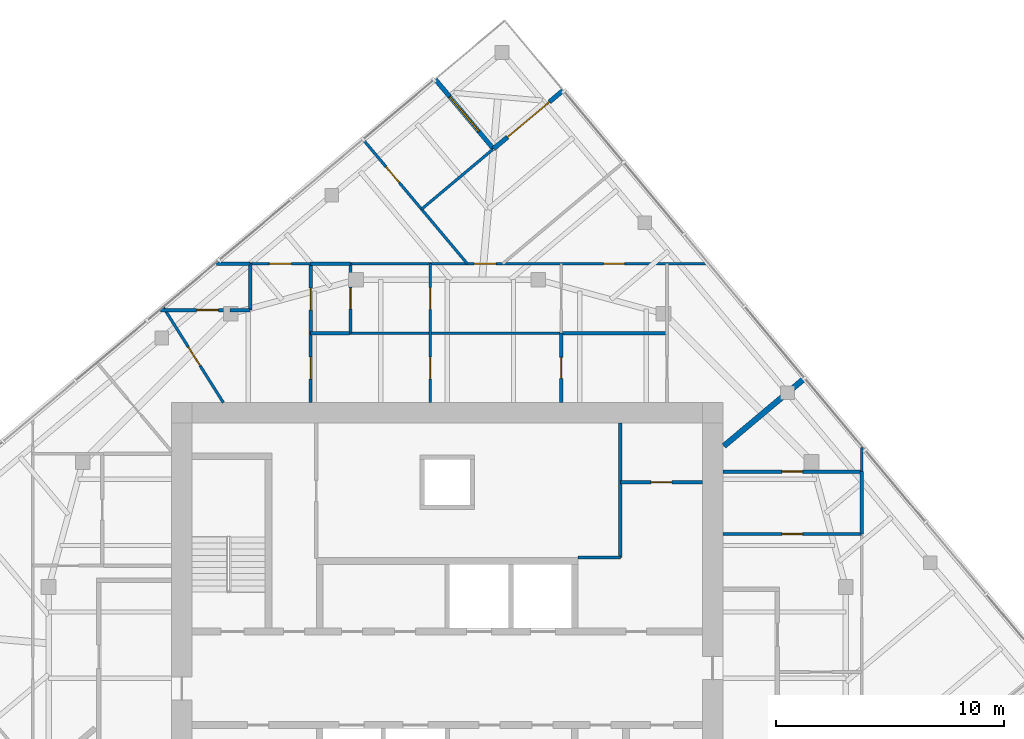
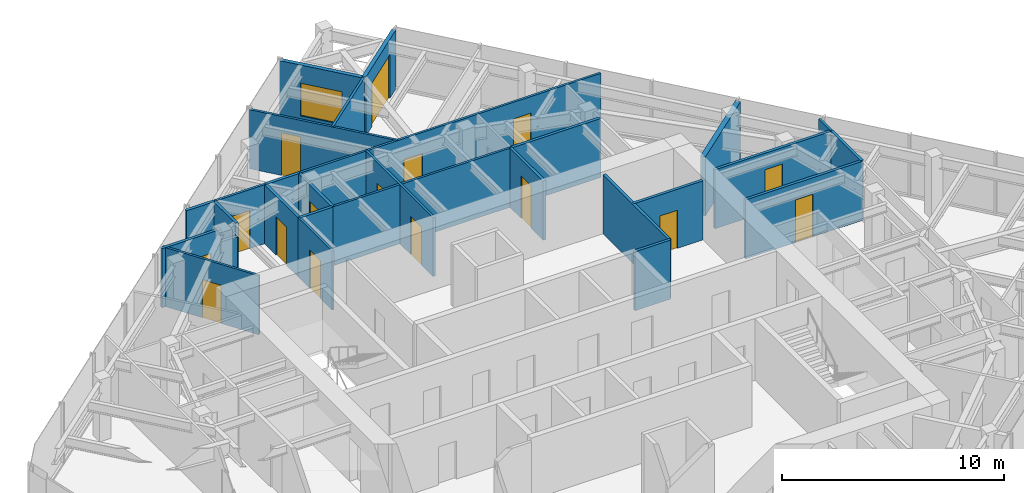
# One storey, part 10 of 12: 28 walls, 16 doors, 1 window, 17 openings.
"""IFC4 building model written with IfcOpenShell, lengths in metres."""

from ifc_helpers import new_model, si_unit, direction, frame, frame_2d, origin, place, context, subcontext, project, spatial, rectangle, extrude, material, layer, layer_set, type_object, element, fill, save


model = new_model("IFC4")

# Units and contexts
model_context = context("Model", 3, precision=1e-05, world=origin(), true_north=direction((0.0, 1.0)))
body_context = subcontext(model_context, "Body", "Model", "MODEL_VIEW")
ifc_project = project(units=[si_unit("LENGTHUNIT", "METRE"), si_unit("AREAUNIT", "SQUARE_METRE"), si_unit("VOLUMEUNIT", "CUBIC_METRE"), si_unit("PLANEANGLEUNIT", "RADIAN"), si_unit("MASSUNIT", "GRAM", prefix="KILO")], contexts=[model_context])

# Site, building, storey
site_placement = place(None, origin())
site = spatial("IfcSite", under=ifc_project, at=site_placement, CompositionType="ELEMENT")
building_placement = place(site_placement, origin())
building = spatial("IfcBuilding", under=site, at=building_placement, Name="Torsade Residences", CompositionType="ELEMENT")
storey_placement = place(building_placement, frame((0.0, 0.0, 293.0)))
storey = spatial("IfcBuildingStorey", under=building, at=storey_placement, Name="L81", CompositionType="ELEMENT", Elevation=293.0)

# Walls
ifc_material_1 = material(Name="Plasterboard on steel stud", Category="steel")
ifc_layer_1 = layer(ifc_material_1, 0.1201171875)
ifc_layer_set_1 = layer_set([ifc_layer_1], Name="Plasterboard on steel stud")
wall_type_1 = type_object("IfcWallType", Name="PARTITION 120", PredefinedType="PARTITIONING", material=ifc_layer_set_1)
wall_1_placement = place(storey_placement, frame((58.199951171875, 40.14013671875, 0.0), z_axis=(0.0, 0.0, 1.0), x_axis=(0.0, -1.0, 0.0)))
element("IfcWall", 1, at=wall_1_placement, inside=storey, type_object=wall_type_1, Name="Partition L81", PredefinedType="PARTITIONING", context=body_context, shape_type="SweptSolid", body=[
    extrude(rectangle(XDim=1.064453125, YDim=0.1201171875, at=frame_2d((0.5322265625, 0.0))), origin(), (0.0, 0.0, 1.0), 3.25),
])
wall_2_placement = place(storey_placement, frame((35.703857421875, 45.14990234375, 0.0), z_axis=(0.0, 0.0, 1.0), x_axis=(1.0, 0.0, 0.0)))
element("IfcWall", 2, at=wall_2_placement, inside=storey, type_object=wall_type_1, Name="Partition L81", PredefinedType="PARTITIONING", context=body_context, shape_type="SweptSolid", body=[
    extrude(rectangle(XDim=9.299560546875, YDim=0.1201171875, at=frame_2d((4.64990234375, 0.0))), origin(), (0.0, 0.0, 1.0), 3.25),
])

# Wall, opening, door
wall_3_placement = place(storey_placement, frame((34.00048828125, 42.10009765625, 0.0), z_axis=(0.0, 0.0, 1.0), x_axis=(0.0, 1.0, 0.0)))
wall_3 = element("IfcWall", 3, at=wall_3_placement, inside=storey, type_object=wall_type_1, Name="Partition L81", PredefinedType="PARTITIONING", context=body_context, shape_type="SweptSolid", body=[
    extrude(rectangle(XDim=3.0498046875, YDim=0.1201171875, at=frame_2d((1.52490234375, 0.0))), origin(), (0.0, 0.0, 1.0), 3.25),
])
opening_1_placement = place(wall_3_placement, frame((1.044921875, 0.0, 0.0)))
opening_1 = element("IfcOpeningElement", 4, at=opening_1_placement, cuts=wall_3, Name="Opening D05", PredefinedType="OPENING", context=body_context, shape_type="SweptSolid", body=[
    extrude(rectangle(XDim=0.9599609375, YDim=2.10009765625, at=frame_2d((0.47998046875, 1.050048828125))), frame((0.0, 0.070068359375, 0.0), z_axis=(0.0, -1.0, 0.0), x_axis=(1.0, 0.0, 0.0)), (0.0, 0.0, 1.0), 0.14013671875),
])
ifc_material_2 = material(Name="Hollow-core timber door in a steel cavity frame", Category="steel")
door_type_1 = type_object("IfcDoorType", Name="BATHROOM CAVITY SLIDING DOOR 960", OperationType="SLIDING_TO_LEFT", PredefinedType="DOOR", material=ifc_material_2)
door_1_placement = place(opening_1_placement, origin())
door_1 = element("IfcDoor", 5, at=door_1_placement, inside=storey, type_object=door_type_1, Name="Door WC to Bathroom", OperationType="SLIDING_TO_LEFT", OverallHeight=2.10009765625, OverallWidth=0.9599609375, PredefinedType="DOOR", context=body_context, shape_type="SweptSolid", body=[
    extrude(rectangle(XDim=0.9599609375, YDim=2.10009765625, at=frame_2d((0.47998046875, 1.050048828125))), frame((0.0, 0.02490234375, 0.0), z_axis=(0.0, -1.0, 0.0), x_axis=(1.0, 0.0, 0.0)), (0.0, 0.0, 1.0), 0.050048828125),
])
fill(opening_1, door_1)

# Wall, openings, doors
wall_4_placement = place(storey_placement, frame((39.260498046875, 48.199951171875, 0.0), z_axis=(0.0, 0.0, 1.0), x_axis=(0.0, -1.0, 0.0)))
wall_4 = element("IfcWall", 6, at=wall_4_placement, inside=storey, type_object=wall_type_1, Name="Partition L81", PredefinedType="PARTITIONING", context=body_context, shape_type="SweptSolid", body=[
    extrude(rectangle(XDim=6.099853515625, YDim=0.1201171875, at=frame_2d((3.0498046875, 0.0))), origin(), (0.0, 0.0, 1.0), 3.25),
])
opening_2_placement = place(wall_4_placement, frame((4.094970703125, 0.0, 0.0)))
opening_2 = element("IfcOpeningElement", 7, at=opening_2_placement, cuts=wall_4, Name="Opening D05", PredefinedType="OPENING", context=body_context, shape_type="SweptSolid", body=[
    extrude(rectangle(XDim=0.9599609375, YDim=2.10009765625, at=frame_2d((0.47998046875, 1.050048828125))), frame((0.0, 0.070068359375, 0.0), z_axis=(0.0, -1.0, 0.0), x_axis=(1.0, 0.0, 0.0)), (0.0, 0.0, 1.0), 0.14013671875),
])
opening_3_placement = place(wall_4_placement, frame((1.044921875, 0.0, 0.0)))
opening_3 = element("IfcOpeningElement", 8, at=opening_3_placement, cuts=wall_4, Name="Opening D05", PredefinedType="OPENING", context=body_context, shape_type="SweptSolid", body=[
    extrude(rectangle(XDim=0.9599609375, YDim=2.10009765625, at=frame_2d((0.47998046875, 1.050048828125))), frame((0.0, 0.070068359375, 0.0), z_axis=(0.0, -1.0, 0.0), x_axis=(1.0, 0.0, 0.0)), (0.0, 0.0, 1.0), 0.14013671875),
])
door_2_placement = place(opening_2_placement, origin())
door_2 = element("IfcDoor", 9, at=door_2_placement, inside=storey, type_object=door_type_1, Name="Door Bathroom to Dressing room 4", OperationType="SLIDING_TO_LEFT", OverallHeight=2.10009765625, OverallWidth=0.9599609375, PredefinedType="DOOR", context=body_context, shape_type="SweptSolid", body=[
    extrude(rectangle(XDim=0.9599609375, YDim=2.10009765625, at=frame_2d((0.47998046875, 1.050048828125))), frame((0.0, 0.02490234375, 0.0), z_axis=(0.0, -1.0, 0.0), x_axis=(1.0, 0.0, 0.0)), (0.0, 0.0, 1.0), 0.050048828125),
])
fill(opening_2, door_2)
door_3_placement = place(opening_3_placement, origin())
door_3 = element("IfcDoor", 10, at=door_3_placement, inside=storey, type_object=door_type_1, Name="Door Dressing room to Ensuite", OperationType="SLIDING_TO_LEFT", OverallHeight=2.10009765625, OverallWidth=0.9599609375, PredefinedType="DOOR", context=body_context, shape_type="SweptSolid", body=[
    extrude(rectangle(XDim=0.9599609375, YDim=2.10009765625, at=frame_2d((0.47998046875, 1.050048828125))), frame((0.0, 0.02490234375, 0.0), z_axis=(0.0, -1.0, 0.0), x_axis=(1.0, 0.0, 0.0)), (0.0, 0.0, 1.0), 0.050048828125),
])
fill(opening_3, door_3)

wall_5_placement = place(storey_placement, frame((35.75390625, 48.199951171875, 0.0), z_axis=(0.0, 0.0, 1.0), x_axis=(1.0, 0.0, 0.0)))
wall_5 = element("IfcWall", 11, at=wall_5_placement, inside=storey, type_object=wall_type_1, Name="Partition L81", PredefinedType="PARTITIONING", context=body_context, shape_type="SweptSolid", body=[
    extrude(rectangle(XDim=15.68310546875, YDim=0.1201171875, at=frame_2d((7.841552734375, 0.0))), origin(), (0.0, 0.0, 1.0), 3.25),
])
opening_4_placement = place(wall_5_placement, frame((5.4326171875, 0.0, 0.0)))
opening_4 = element("IfcOpeningElement", 12, at=opening_4_placement, cuts=wall_5, Name="Opening D05", PredefinedType="OPENING", context=body_context, shape_type="SweptSolid", body=[
    extrude(rectangle(XDim=0.9599609375, YDim=2.10009765625, at=frame_2d((0.47998046875, 1.050048828125))), frame((0.0, 0.070068359375, 0.0), z_axis=(0.0, -1.0, 0.0), x_axis=(1.0, 0.0, 0.0)), (0.0, 0.0, 1.0), 0.14013671875),
])
opening_5_placement = place(wall_5_placement, frame((11.11376953125, 0.0, 0.0)))
opening_5 = element("IfcOpeningElement", 13, at=opening_5_placement, cuts=wall_5, Name="Opening D02", PredefinedType="OPENING", context=body_context, shape_type="SweptSolid", body=[
    extrude(rectangle(XDim=0.919921875, YDim=2.340087890625, at=frame_2d((0.4599609375, 1.169921875))), frame((0.0, 0.070068359375, 0.0), z_axis=(0.0, -1.0, 0.0), x_axis=(1.0, 0.0, 0.0)), (0.0, 0.0, 1.0), 0.14013671875),
])
door_4_placement = place(opening_4_placement, origin())
door_4 = element("IfcDoor", 14, at=door_4_placement, inside=storey, type_object=door_type_1, Name="Door Ensuite to Bedroom 2", OperationType="SLIDING_TO_LEFT", OverallHeight=2.10009765625, OverallWidth=0.9599609375, PredefinedType="DOOR", context=body_context, shape_type="SweptSolid", body=[
    extrude(rectangle(XDim=0.9599609375, YDim=2.10009765625, at=frame_2d((0.47998046875, 1.050048828125))), frame((0.0, 0.02490234375, 0.0), z_axis=(0.0, -1.0, 0.0), x_axis=(1.0, 0.0, 0.0)), (0.0, 0.0, 1.0), 0.050048828125),
])
fill(opening_4, door_4)
ifc_material_3 = material(Name="Hollow-core timber door", Category="wood")
door_type_2 = type_object("IfcDoorType", Name="INTERNAL DOOR 920x2340", OperationType="NOTDEFINED", PredefinedType="DOOR", material=ifc_material_3)
door_5_placement = place(opening_5_placement, origin())
door_5 = element("IfcDoor", 15, at=door_5_placement, inside=storey, type_object=door_type_2, Name="Door Walk-in robe to Bedroom 4", OperationType="SINGLE_SWING_RIGHT", OverallHeight=2.340087890625, OverallWidth=0.919921875, PredefinedType="DOOR", context=body_context, shape_type="SweptSolid", body=[
    extrude(rectangle(XDim=0.919921875, YDim=2.340087890625, at=frame_2d((0.4599609375, 1.169921875))), frame((0.0, 0.02490234375, 0.0), z_axis=(0.0, -1.0, 0.0), x_axis=(1.0, 0.0, 0.0)), (0.0, 0.0, 1.0), 0.050048828125),
])
fill(opening_5, door_5)

# Wall, opening, door
wall_6_placement = place(storey_placement, frame((30.171875, 42.10009765625, 0.0), z_axis=(0.0, 0.0, 1.0), x_axis=(-0.532913303443, 0.846169847616, 0.0)))
wall_6 = element("IfcWall", 16, at=wall_6_placement, inside=storey, type_object=wall_type_1, Name="Partition L81", PredefinedType="PARTITIONING", context=body_context, shape_type="SweptSolid", body=[
    extrude(rectangle(XDim=4.91943359375, YDim=0.1201171875, at=frame_2d((2.459716796875, 0.0))), origin(), (0.0, 0.0, 1.0), 3.25),
])
opening_6_placement = place(wall_6_placement, frame((1.923095703125, 0.0, 0.0)))
opening_6 = element("IfcOpeningElement", 17, at=opening_6_placement, cuts=wall_6, Name="Opening D05", PredefinedType="OPENING", context=body_context, shape_type="SweptSolid", body=[
    extrude(rectangle(XDim=0.9599609375, YDim=2.10009765625, at=frame_2d((0.47998046875, 1.050048828125))), frame((0.0, 0.070068359375, 0.0), z_axis=(0.0, -1.0, 0.0), x_axis=(1.0, 0.0, 0.0)), (0.0, 0.0, 1.0), 0.14013671875),
])
door_6_placement = place(opening_6_placement, origin())
door_6 = element("IfcDoor", 18, at=door_6_placement, inside=storey, type_object=door_type_1, Name="Door WC 2 to WC", OperationType="SLIDING_TO_LEFT", OverallHeight=2.10009765625, OverallWidth=0.9599609375, PredefinedType="DOOR", context=body_context, shape_type="SweptSolid", body=[
    extrude(rectangle(XDim=0.9599609375, YDim=2.10009765625, at=frame_2d((0.47998046875, 1.050048828125))), frame((0.0, 0.02490234375, 0.0), z_axis=(0.0, -1.0, 0.0), x_axis=(1.0, 0.0, 0.0)), (0.0, 0.0, 1.0), 0.050048828125),
])
fill(opening_6, door_6)

wall_7_placement = place(storey_placement, frame((31.34423828125, 48.199951171875, 0.0), z_axis=(0.0, 0.0, 1.0), x_axis=(1.0, 0.0, 0.0)))
wall_7 = element("IfcWall", 19, at=wall_7_placement, inside=storey, type_object=wall_type_1, Name="Partition L81", PredefinedType="PARTITIONING", context=body_context, shape_type="SweptSolid", body=[
    extrude(rectangle(XDim=2.65625, YDim=0.1201171875, at=frame_2d((1.328125, 0.0))), origin(), (0.0, 0.0, 1.0), 3.25),
])
opening_7_placement = place(wall_7_placement, frame((0.84814453125, 0.0, 0.0)))
opening_7 = element("IfcOpeningElement", 20, at=opening_7_placement, cuts=wall_7, Name="Opening D05", PredefinedType="OPENING", context=body_context, shape_type="SweptSolid", body=[
    extrude(rectangle(XDim=0.9599609375, YDim=2.10009765625, at=frame_2d((0.47998046875, 1.050048828125))), frame((0.0, 0.070068359375, 0.0), z_axis=(0.0, -1.0, 0.0), x_axis=(1.0, 0.0, 0.0)), (0.0, 0.0, 1.0), 0.14013671875),
])
door_7_placement = place(opening_7_placement, origin())
door_7 = element("IfcDoor", 21, at=door_7_placement, inside=storey, type_object=door_type_1, Name="Door WC to Bedroom 3", OperationType="SLIDING_TO_LEFT", OverallHeight=2.10009765625, OverallWidth=0.9599609375, PredefinedType="DOOR", context=body_context, shape_type="SweptSolid", body=[
    extrude(rectangle(XDim=0.9599609375, YDim=2.10009765625, at=frame_2d((0.47998046875, 1.050048828125))), frame((0.0, 0.02490234375, 0.0), z_axis=(0.0, -1.0, 0.0), x_axis=(1.0, 0.0, 0.0)), (0.0, 0.0, 1.0), 0.050048828125),
])
fill(opening_7, door_7)

wall_8_placement = place(storey_placement, frame((40.8828125, 48.199951171875, 0.0), z_axis=(0.0, 0.0, 1.0), x_axis=(-0.642790379821, 0.766042118691, 0.0)))
wall_8 = element("IfcWall", 22, at=wall_8_placement, inside=storey, type_object=wall_type_1, Name="Partition L81", PredefinedType="PARTITIONING", context=body_context, shape_type="SweptSolid", body=[
    extrude(rectangle(XDim=7.08544921875, YDim=0.1201171875, at=frame_2d((3.542724609375, 0.0))), origin(), (0.0, 0.0, 1.0), 3.25),
])
opening_8_placement = place(wall_8_placement, frame((4.640380859375, 0.0, 0.0)))
opening_8 = element("IfcOpeningElement", 23, at=opening_8_placement, cuts=wall_8, Name="Opening D02", PredefinedType="OPENING", context=body_context, shape_type="SweptSolid", body=[
    extrude(rectangle(XDim=0.919921875, YDim=2.340087890625, at=frame_2d((0.4599609375, 1.169921875))), frame((0.0, 0.070068359375, 0.0), z_axis=(0.0, -1.0, 0.0), x_axis=(1.0, 0.0, 0.0)), (0.0, 0.0, 1.0), 0.14013671875),
])
door_8_placement = place(opening_8_placement, origin())
door_8 = element("IfcDoor", 24, at=door_8_placement, inside=storey, type_object=door_type_2, Name="Door Bedroom 3 to Bedroom 5", OperationType="SINGLE_SWING_RIGHT", OverallHeight=2.340087890625, OverallWidth=0.919921875, PredefinedType="DOOR", context=body_context, shape_type="SweptSolid", body=[
    extrude(rectangle(XDim=0.919921875, YDim=2.340087890625, at=frame_2d((0.4599609375, 1.169921875))), frame((0.0, 0.02490234375, 0.0), z_axis=(0.0, -1.0, 0.0), x_axis=(1.0, 0.0, 0.0)), (0.0, 0.0, 1.0), 0.050048828125),
])
fill(opening_8, door_8)

# Walls
wall_9_placement = place(storey_placement, frame((38.873779296875, 50.59423828125, 0.0), z_axis=(0.0, 0.0, 1.0), x_axis=(0.766061483953, 0.642767300664, 0.0)))
element("IfcWall", 25, at=wall_9_placement, inside=storey, type_object=wall_type_1, Name="Partition L81", PredefinedType="PARTITIONING", context=body_context, shape_type="SweptSolid", body=[
    extrude(rectangle(XDim=4.0849609375, YDim=0.1201171875, at=frame_2d((2.04248046875, 0.0))), origin(), (0.0, 0.0, 1.0), 3.25),
])
ifc_material_4 = material(Name="Masonry-lined stud party wall", Category="masonry")
ifc_layer_2 = layer(ifc_material_4, 0.25)
ifc_layer_set_2 = layer_set([ifc_layer_2], Name="Masonry-lined stud party wall")
wall_type_2 = type_object("IfcWallType", Name="PARTY WALL 250", PredefinedType="PARTITIONING", material=ifc_layer_set_2)
wall_10_placement = place(storey_placement, frame((55.703857421875, 43.17724609375, 0.0), z_axis=(0.0, 0.0, 1.0), x_axis=(-0.76603440109, -0.64279957712, 0.0)))
element("IfcWall", 26, at=wall_10_placement, inside=storey, type_object=wall_type_2, Name="Party wall L81", PredefinedType="PARTITIONING", context=body_context, shape_type="SweptSolid", body=[
    extrude(rectangle(XDim=4.6396484375, YDim=0.25, at=frame_2d((2.31982421875, 0.0))), origin(), (0.0, 0.0, 1.0), 3.25),
])
ifc_material_5 = material(Name="Reinforced blockwork", Category="masonry")
ifc_layer_3 = layer(ifc_material_5, 0.14990234375)
ifc_layer_set_3 = layer_set([ifc_layer_3], Name="Reinforced blockwork")
wall_type_3 = type_object("IfcWallType", Name="SERVICE ROOM WALL 150", PredefinedType="SOLIDWALL", material=ifc_layer_set_3)
wall_11_placement = place(storey_placement, frame((47.60009765625, 41.199951171875, 0.0), z_axis=(0.0, 0.0, 1.0), x_axis=(0.0, -1.0, 0.0)))
element("IfcWall", 27, at=wall_11_placement, inside=storey, type_object=wall_type_3, Name="Service room wall L81", PredefinedType="SOLIDWALL", context=body_context, shape_type="SweptSolid", body=[
    extrude(rectangle(XDim=5.89990234375, YDim=0.14990234375, at=frame_2d((2.949951171875, 0.0))), origin(), (0.0, 0.0, 1.0), 3.25),
])
wall_12_placement = place(storey_placement, frame((47.60009765625, 35.300048828125, 0.0), z_axis=(0.0, 0.0, 1.0), x_axis=(-1.0, 0.0, 0.0)))
element("IfcWall", 28, at=wall_12_placement, inside=storey, type_object=wall_type_3, Name="Service room wall L81", PredefinedType="SOLIDWALL", context=body_context, shape_type="SweptSolid", body=[
    extrude(rectangle(XDim=1.85009765625, YDim=0.14990234375, at=frame_2d((0.925048828125, 0.0))), origin(), (0.0, 0.0, 1.0), 3.25),
])

# Wall, opening, door
wall_13_placement = place(storey_placement, frame((47.60009765625, 38.60009765625, 0.0), z_axis=(0.0, 0.0, 1.0), x_axis=(1.0, 0.0, 0.0)))
wall_13 = element("IfcWall", 29, at=wall_13_placement, inside=storey, type_object=wall_type_3, Name="Service room wall L81", PredefinedType="SOLIDWALL", context=body_context, shape_type="SweptSolid", body=[
    extrude(rectangle(XDim=3.599853515625, YDim=0.14990234375, at=frame_2d((1.7998046875, 0.0))), origin(), (0.0, 0.0, 1.0), 3.25),
])
opening_9_placement = place(wall_13_placement, frame((1.340087890625, 0.0, 0.0)))
opening_9 = element("IfcOpeningElement", 30, at=opening_9_placement, cuts=wall_13, Name="Opening D06", PredefinedType="OPENING", context=body_context, shape_type="SweptSolid", body=[
    extrude(rectangle(XDim=0.919921875, YDim=2.10009765625, at=frame_2d((0.4599609375, 1.050048828125))), frame((0.0, 0.0849609375, 0.0), z_axis=(0.0, -1.0, 0.0), x_axis=(1.0, 0.0, 0.0)), (0.0, 0.0, 1.0), 0.169921875),
])
ifc_material_6 = material(Name="Steel-framed fire door", Category="steel")
door_type_3 = type_object("IfcDoorType", Name="FIRE DOOR 920", OperationType="NOTDEFINED", PredefinedType="DOOR", material=ifc_material_6)
door_9_placement = place(opening_9_placement, origin())
door_9 = element("IfcDoor", 31, at=door_9_placement, inside=storey, type_object=door_type_3, Name="Door Refuse room to Linen store", OperationType="SINGLE_SWING_LEFT", OverallHeight=2.10009765625, OverallWidth=0.919921875, PredefinedType="DOOR", context=body_context, shape_type="SweptSolid", body=[
    extrude(rectangle(XDim=0.919921875, YDim=2.10009765625, at=frame_2d((0.4599609375, 1.050048828125))), frame((0.0, 0.02490234375, 0.0), z_axis=(0.0, -1.0, 0.0), x_axis=(1.0, 0.0, 0.0)), (0.0, 0.0, 1.0), 0.050048828125),
])
fill(opening_9, door_9)

wall_14_placement = place(storey_placement, frame((52.10009765625, 36.33544921875, 0.0), z_axis=(0.0, 0.0, 1.0), x_axis=(1.0, 0.0, 0.0)))
wall_14 = element("IfcWall", 32, at=wall_14_placement, inside=storey, type_object=wall_type_3, Name="Service room wall L81", PredefinedType="SOLIDWALL", context=body_context, shape_type="SweptSolid", body=[
    extrude(rectangle(XDim=6.099853515625, YDim=0.14990234375, at=frame_2d((3.0498046875, 0.0))), origin(), (0.0, 0.0, 1.0), 3.25),
])
opening_10_placement = place(wall_14_placement, frame((2.590087890625, 0.0, 0.0)))
opening_10 = element("IfcOpeningElement", 33, at=opening_10_placement, cuts=wall_14, Name="Opening D02", PredefinedType="OPENING", context=body_context, shape_type="SweptSolid", body=[
    extrude(rectangle(XDim=0.919921875, YDim=2.340087890625, at=frame_2d((0.4599609375, 1.169921875))), frame((0.0, 0.0849609375, 0.0), z_axis=(0.0, -1.0, 0.0), x_axis=(1.0, 0.0, 0.0)), (0.0, 0.0, 1.0), 0.169921875),
])
door_10_placement = place(opening_10_placement, origin())
door_10 = element("IfcDoor", 34, at=door_10_placement, inside=storey, type_object=door_type_2, Name="Door Kitchen and dining to Linen store 2", OperationType="SINGLE_SWING_RIGHT", OverallHeight=2.340087890625, OverallWidth=0.919921875, PredefinedType="DOOR", context=body_context, shape_type="SweptSolid", body=[
    extrude(rectangle(XDim=0.919921875, YDim=2.340087890625, at=frame_2d((0.4599609375, 1.169921875))), frame((0.0, 0.02490234375, 0.0), z_axis=(0.0, -1.0, 0.0), x_axis=(1.0, 0.0, 0.0)), (0.0, 0.0, 1.0), 0.050048828125),
])
fill(opening_10, door_10)

wall_15_placement = place(storey_placement, frame((58.199951171875, 39.07568359375, 0.0), z_axis=(0.0, 0.0, 1.0), x_axis=(-1.0, 0.0, 0.0)))
wall_15 = element("IfcWall", 35, at=wall_15_placement, inside=storey, type_object=wall_type_3, Name="Service room wall L81", PredefinedType="SOLIDWALL", context=body_context, shape_type="SweptSolid", body=[
    extrude(rectangle(XDim=6.099853515625, YDim=0.14990234375, at=frame_2d((3.0498046875, 0.0))), origin(), (0.0, 0.0, 1.0), 3.25),
])
opening_11_placement = place(wall_15_placement, frame((2.590087890625, 0.0, 0.0)))
opening_11 = element("IfcOpeningElement", 36, at=opening_11_placement, cuts=wall_15, Name="Opening D02", PredefinedType="OPENING", context=body_context, shape_type="SweptSolid", body=[
    extrude(rectangle(XDim=0.919921875, YDim=2.340087890625, at=frame_2d((0.4599609375, 1.169921875))), frame((0.0, 0.0849609375, 0.0), z_axis=(0.0, -1.0, 0.0), x_axis=(1.0, 0.0, 0.0)), (0.0, 0.0, 1.0), 0.169921875),
])
door_11_placement = place(opening_11_placement, origin())
door_11 = element("IfcDoor", 37, at=door_11_placement, inside=storey, type_object=door_type_2, Name="Door Linen store 2 to Study", OperationType="SINGLE_SWING_LEFT", OverallHeight=2.340087890625, OverallWidth=0.919921875, PredefinedType="DOOR", context=body_context, shape_type="SweptSolid", body=[
    extrude(rectangle(XDim=0.919921875, YDim=2.340087890625, at=frame_2d((0.4599609375, 1.169921875))), frame((0.0, 0.02490234375, 0.0), z_axis=(0.0, -1.0, 0.0), x_axis=(1.0, 0.0, 0.0)), (0.0, 0.0, 1.0), 0.050048828125),
])
fill(opening_11, door_11)

# Walls
wall_16_placement = place(storey_placement, frame((58.199951171875, 39.07568359375, 0.0), z_axis=(0.0, 0.0, 1.0), x_axis=(0.0, -1.0, 0.0)))
element("IfcWall", 38, at=wall_16_placement, inside=storey, type_object=wall_type_3, Name="Service room wall L81", PredefinedType="SOLIDWALL", context=body_context, shape_type="SweptSolid", body=[
    extrude(rectangle(XDim=2.740234375, YDim=0.14990234375, at=frame_2d((1.3701171875, 0.0))), origin(), (0.0, 0.0, 1.0), 3.25),
])
wall_17_placement = place(storey_placement, frame((34.00048828125, 45.14990234375, 0.0), z_axis=(0.0, 0.0, 1.0), x_axis=(1.0, 0.0, 0.0)))
element("IfcWall", 39, at=wall_17_placement, inside=storey, type_object=wall_type_3, Name="Service room wall L81", PredefinedType="SOLIDWALL", context=body_context, shape_type="SweptSolid", body=[
    extrude(rectangle(XDim=1.703369140625, YDim=0.14990234375, at=frame_2d((0.8515625, 0.0))), origin(), (0.0, 0.0, 1.0), 3.25),
])

# Wall, opening, door
wall_18_placement = place(storey_placement, frame((35.75390625, 45.14990234375, 0.0), z_axis=(0.0, 0.0, 1.0), x_axis=(0.0, 1.0, 0.0)))
wall_18 = element("IfcWall", 40, at=wall_18_placement, inside=storey, type_object=wall_type_3, Name="Service room wall L81", PredefinedType="SOLIDWALL", context=body_context, shape_type="SweptSolid", body=[
    extrude(rectangle(XDim=3.050048828125, YDim=0.14990234375, at=frame_2d((1.52490234375, 0.0))), origin(), (0.0, 0.0, 1.0), 3.25),
])
opening_12_placement = place(wall_18_placement, frame((1.06494140625, 0.0, 0.0)))
opening_12 = element("IfcOpeningElement", 41, at=opening_12_placement, cuts=wall_18, Name="Opening D02", PredefinedType="OPENING", context=body_context, shape_type="SweptSolid", body=[
    extrude(rectangle(XDim=0.919921875, YDim=2.340087890625, at=frame_2d((0.4599609375, 1.169921875))), frame((0.0, 0.0849609375, 0.0), z_axis=(0.0, -1.0, 0.0), x_axis=(1.0, 0.0, 0.0)), (0.0, 0.0, 1.0), 0.169921875),
])
door_12_placement = place(opening_12_placement, origin())
door_12 = element("IfcDoor", 42, at=door_12_placement, inside=storey, type_object=door_type_2, Name="Door Linen store 4 to Dressing room", OperationType="SINGLE_SWING_RIGHT", OverallHeight=2.340087890625, OverallWidth=0.919921875, PredefinedType="DOOR", context=body_context, shape_type="SweptSolid", body=[
    extrude(rectangle(XDim=0.919921875, YDim=2.340087890625, at=frame_2d((0.4599609375, 1.169921875))), frame((0.0, 0.02490234375, 0.0), z_axis=(0.0, -1.0, 0.0), x_axis=(1.0, 0.0, 0.0)), (0.0, 0.0, 1.0), 0.050048828125),
])
fill(opening_12, door_12)

wall_19_placement = place(storey_placement, frame((27.414306640625, 46.166748046875, 0.0), z_axis=(0.0, 0.0, 1.0), x_axis=(1.0, 0.0, 0.0)))
wall_19 = element("IfcWall", 43, at=wall_19_placement, inside=storey, type_object=wall_type_3, Name="Service room wall L81", PredefinedType="SOLIDWALL", context=body_context, shape_type="SweptSolid", body=[
    extrude(rectangle(XDim=3.052734375, YDim=0.14990234375, at=frame_2d((1.5263671875, 0.0))), origin(), (0.0, 0.0, 1.0), 3.25),
])
opening_13_placement = place(wall_19_placement, frame((1.583251953125, 0.0, 0.0)))
opening_13 = element("IfcOpeningElement", 44, at=opening_13_placement, cuts=wall_19, Name="Opening D05", PredefinedType="OPENING", context=body_context, shape_type="SweptSolid", body=[
    extrude(rectangle(XDim=0.9599609375, YDim=2.10009765625, at=frame_2d((0.47998046875, 1.050048828125))), frame((0.0, 0.0849609375, 0.0), z_axis=(0.0, -1.0, 0.0), x_axis=(1.0, 0.0, 0.0)), (0.0, 0.0, 1.0), 0.169921875),
])
door_13_placement = place(opening_13_placement, origin())
door_13 = element("IfcDoor", 45, at=door_13_placement, inside=storey, type_object=door_type_1, Name="Door WC to Linen store", OperationType="SLIDING_TO_LEFT", OverallHeight=2.10009765625, OverallWidth=0.9599609375, PredefinedType="DOOR", context=body_context, shape_type="SweptSolid", body=[
    extrude(rectangle(XDim=0.9599609375, YDim=2.10009765625, at=frame_2d((0.47998046875, 1.050048828125))), frame((0.0, 0.02490234375, 0.0), z_axis=(0.0, -1.0, 0.0), x_axis=(1.0, 0.0, 0.0)), (0.0, 0.0, 1.0), 0.050048828125),
])
fill(opening_13, door_13)

# Walls
wall_20_placement = place(storey_placement, frame((30.467041015625, 46.166748046875, 0.0), z_axis=(0.0, 0.0, 1.0), x_axis=(1.0, 0.0, 0.0)))
element("IfcWall", 46, at=wall_20_placement, inside=storey, type_object=wall_type_3, Name="Service room wall L81", PredefinedType="SOLIDWALL", context=body_context, shape_type="SweptSolid", body=[
    extrude(rectangle(XDim=0.877197265625, YDim=0.14990234375, at=frame_2d((0.4384765625, 0.0))), origin(), (0.0, 0.0, 1.0), 2.549072265625),
])
wall_21_placement = place(storey_placement, frame((31.34423828125, 46.166748046875, 0.0), z_axis=(0.0, 0.0, 1.0), x_axis=(0.0, 1.0, 0.0)))
element("IfcWall", 47, at=wall_21_placement, inside=storey, type_object=wall_type_3, Name="Service room wall L81", PredefinedType="SOLIDWALL", context=body_context, shape_type="SweptSolid", body=[
    extrude(rectangle(XDim=2.033203125, YDim=0.14990234375, at=frame_2d((1.0166015625, 0.0))), origin(), (0.0, 0.0, 1.0), 3.25),
])

# Wall, opening, door
wall_22_placement = place(storey_placement, frame((34.00048828125, 48.199951171875, 0.0), z_axis=(0.0, 0.0, 1.0), x_axis=(0.0, -1.0, 0.0)))
wall_22 = element("IfcWall", 48, at=wall_22_placement, inside=storey, type_object=wall_type_3, Name="Service room wall L81", PredefinedType="SOLIDWALL", context=body_context, shape_type="SweptSolid", body=[
    extrude(rectangle(XDim=3.050048828125, YDim=0.14990234375, at=frame_2d((1.52490234375, 0.0))), origin(), (0.0, 0.0, 1.0), 3.25),
])
opening_14_placement = place(wall_22_placement, frame((1.070068359375, 0.0, 0.0)))
opening_14 = element("IfcOpeningElement", 49, at=opening_14_placement, cuts=wall_22, Name="Opening D05", PredefinedType="OPENING", context=body_context, shape_type="SweptSolid", body=[
    extrude(rectangle(XDim=0.9599609375, YDim=2.10009765625, at=frame_2d((0.47998046875, 1.050048828125))), frame((0.0, 0.0849609375, 0.0), z_axis=(0.0, -1.0, 0.0), x_axis=(1.0, 0.0, 0.0)), (0.0, 0.0, 1.0), 0.169921875),
])
door_14_placement = place(opening_14_placement, origin())
door_14 = element("IfcDoor", 50, at=door_14_placement, inside=storey, type_object=door_type_1, Name="Door WC to Linen store 4", OperationType="SLIDING_TO_LEFT", OverallHeight=2.10009765625, OverallWidth=0.9599609375, PredefinedType="DOOR", context=body_context, shape_type="SweptSolid", body=[
    extrude(rectangle(XDim=0.9599609375, YDim=2.10009765625, at=frame_2d((0.47998046875, 1.050048828125))), frame((0.0, 0.02490234375, 0.0), z_axis=(0.0, -1.0, 0.0), x_axis=(1.0, 0.0, 0.0)), (0.0, 0.0, 1.0), 0.050048828125),
])
fill(opening_14, door_14)

wall_23_placement = place(storey_placement, frame((45.00341796875, 45.14990234375, 0.0), z_axis=(0.0, 0.0, 1.0), x_axis=(0.0, -1.0, 0.0)))
wall_23 = element("IfcWall", 51, at=wall_23_placement, inside=storey, type_object=wall_type_3, Name="Service room wall L81", PredefinedType="SOLIDWALL", context=body_context, shape_type="SweptSolid", body=[
    extrude(rectangle(XDim=3.0498046875, YDim=0.14990234375, at=frame_2d((1.52490234375, 0.0))), origin(), (0.0, 0.0, 1.0), 3.25),
])
opening_15_placement = place(wall_23_placement, frame((1.06494140625, 0.0, 0.0)))
opening_15 = element("IfcOpeningElement", 52, at=opening_15_placement, cuts=wall_23, Name="Opening D02", PredefinedType="OPENING", context=body_context, shape_type="SweptSolid", body=[
    extrude(rectangle(XDim=0.919921875, YDim=2.340087890625, at=frame_2d((0.4599609375, 1.169921875))), frame((0.0, 0.0849609375, 0.0), z_axis=(0.0, -1.0, 0.0), x_axis=(1.0, 0.0, 0.0)), (0.0, 0.0, 1.0), 0.169921875),
])
door_15_placement = place(opening_15_placement, origin())
door_15 = element("IfcDoor", 53, at=door_15_placement, inside=storey, type_object=door_type_2, Name="Door Dressing room 4 to Linen store 3", OperationType="SINGLE_SWING_LEFT", OverallHeight=2.340087890625, OverallWidth=0.919921875, PredefinedType="DOOR", context=body_context, shape_type="SweptSolid", body=[
    extrude(rectangle(XDim=0.919921875, YDim=2.340087890625, at=frame_2d((0.4599609375, 1.169921875))), frame((0.0, 0.02490234375, 0.0), z_axis=(0.0, -1.0, 0.0), x_axis=(1.0, 0.0, 0.0)), (0.0, 0.0, 1.0), 0.050048828125),
])
fill(opening_15, door_15)

# Walls
wall_24_placement = place(storey_placement, frame((45.00341796875, 45.14990234375, 0.0), z_axis=(0.0, 0.0, 1.0), x_axis=(1.0, 0.0, 0.0)))
element("IfcWall", 54, at=wall_24_placement, inside=storey, type_object=wall_type_3, Name="Service room wall L81", PredefinedType="SOLIDWALL", context=body_context, shape_type="SweptSolid", body=[
    extrude(rectangle(XDim=4.648681640625, YDim=0.14990234375, at=frame_2d((2.32421875, 0.0))), origin(), (0.0, 0.0, 1.0), 3.25),
])
wall_25_placement = place(storey_placement, frame((31.34423828125, 48.199951171875, 0.0), z_axis=(0.0, 0.0, 1.0), x_axis=(-1.0, 0.0, 0.0)))
element("IfcWall", 55, at=wall_25_placement, inside=storey, type_object=wall_type_3, Name="Service room wall L81", PredefinedType="SOLIDWALL", context=body_context, shape_type="SweptSolid", body=[
    extrude(rectangle(XDim=1.484375, YDim=0.14990234375, at=frame_2d((0.7421875, 0.0))), origin(), (0.0, 0.0, 1.0), 3.25),
])
wall_26_placement = place(storey_placement, frame((35.75390625, 48.199951171875, 0.0), z_axis=(0.0, 0.0, 1.0), x_axis=(-1.0, 0.0, 0.0)))
element("IfcWall", 56, at=wall_26_placement, inside=storey, type_object=wall_type_3, Name="Service room wall L81", PredefinedType="SOLIDWALL", context=body_context, shape_type="SweptSolid", body=[
    extrude(rectangle(XDim=1.75341796875, YDim=0.14990234375, at=frame_2d((0.876708984375, 0.0))), origin(), (0.0, 0.0, 1.0), 3.25),
])

# Wall, opening, door
ifc_material_7 = material(Name="Stone-faced precast concrete 40 MPa panel", Category="masonry")
ifc_layer_4 = layer(ifc_material_7, 0.199951171875)
ifc_layer_set_4 = layer_set([ifc_layer_4], Name="Stone-faced precast concrete 40 MPa panel")
wall_type_4 = type_object("IfcWallType", Name="TERRACE WALL 200", PredefinedType="SOLIDWALL", material=ifc_layer_set_4)
wall_27_placement = place(storey_placement, frame((45.097900390625, 55.81689453125, 0.0), z_axis=(0.0, 0.0, 1.0), x_axis=(-0.766060656284, -0.642768287094, 0.0)))
wall_27 = element("IfcWall", 57, at=wall_27_placement, inside=storey, type_object=wall_type_4, Name="Terrace wall L81 5", PredefinedType="SOLIDWALL", context=body_context, shape_type="SweptSolid", body=[
    extrude(rectangle(XDim=4.0, YDim=0.199951171875, at=frame_2d((2.0, 0.0))), origin(), (0.0, 0.0, 1.0), 3.25),
])
opening_16_placement = place(wall_27_placement, frame((0.800048828125, 0.0, 0.0)))
opening_16 = element("IfcOpeningElement", 58, at=opening_16_placement, cuts=wall_27, Name="Opening D10", PredefinedType="OPENING", context=body_context, shape_type="SweptSolid", body=[
    extrude(rectangle(XDim=2.39990234375, YDim=2.39990234375, at=frame_2d((1.199951171875, 1.199951171875))), frame((0.0, 0.10986328125, 0.0), z_axis=(0.0, -1.0, 0.0), x_axis=(1.0, 0.0, 0.0)), (0.0, 0.0, 1.0), 0.219970703125),
])
ifc_material_8 = material(Name="Aluminium-framed glass door", Category="aluminium")
door_type_4 = type_object("IfcDoorType", Name="TERRACE SLIDING DOOR 2400", OperationType="SLIDING_TO_LEFT", PredefinedType="DOOR", material=ifc_material_8)
door_16_placement = place(opening_16_placement, origin())
door_16 = element("IfcDoor", 59, at=door_16_placement, inside=storey, type_object=door_type_4, Name="Terrace door L81 5", OperationType="SLIDING_TO_LEFT", OverallHeight=2.39990234375, OverallWidth=2.39990234375, PredefinedType="DOOR", context=body_context, shape_type="SweptSolid", body=[
    extrude(rectangle(XDim=2.39990234375, YDim=2.39990234375, at=frame_2d((1.199951171875, 1.199951171875))), frame((0.0, 0.02490234375, 0.0), z_axis=(0.0, -1.0, 0.0), x_axis=(1.0, 0.0, 0.0)), (0.0, 0.0, 1.0), 0.050048828125),
])
fill(opening_16, door_16)

# Wall, opening, window
wall_28_placement = place(storey_placement, frame((42.03369140625, 53.245849609375, 0.0), z_axis=(0.0, 0.0, 1.0), x_axis=(-0.642798342015, 0.766035437498, 0.0)))
wall_28 = element("IfcWall", 60, at=wall_28_placement, inside=storey, type_object=wall_type_4, Name="Terrace wall L81 6", PredefinedType="SOLIDWALL", context=body_context, shape_type="SweptSolid", body=[
    extrude(rectangle(XDim=3.999755859375, YDim=0.199951171875, at=frame_2d((2.0, 0.0))), origin(), (0.0, 0.0, 1.0), 3.25),
])
opening_17_placement = place(wall_28_placement, frame((1.0, 0.0, 0.449951171875)))
opening_17 = element("IfcOpeningElement", 61, at=opening_17_placement, cuts=wall_28, Name="Opening W1B", PredefinedType="OPENING", context=body_context, shape_type="SweptSolid", body=[
    extrude(rectangle(XDim=2.0, YDim=1.800048828125, at=frame_2d((1.0, 0.89990234375))), frame((0.0, 0.10986328125, 0.0), z_axis=(0.0, -1.0, 0.0), x_axis=(1.0, 0.0, 0.0)), (0.0, 0.0, 1.0), 0.219970703125),
])
ifc_material_9 = material(Name="Aluminium-framed glass window", Category="aluminium")
window_type = type_object("IfcWindowType", Name="TERRACE WINDOW 2000x1800", PartitioningType="SINGLE_PANEL", PredefinedType="WINDOW", material=ifc_material_9)
window_placement = place(opening_17_placement, origin())
window = element("IfcWindow", 62, at=window_placement, inside=storey, type_object=window_type, Name="Terrace window L81 6", OverallHeight=1.800048828125, OverallWidth=2.0, PartitioningType="SINGLE_PANEL", PredefinedType="WINDOW", context=body_context, shape_type="SweptSolid", body=[
    extrude(rectangle(XDim=2.0, YDim=1.800048828125, at=frame_2d((1.0, 0.89990234375))), frame((0.0, 0.030029296875, 0.0), z_axis=(0.0, -1.0, 0.0), x_axis=(1.0, 0.0, 0.0)), (0.0, 0.0, 1.0), 0.06005859375),
])
fill(opening_17, window)

save(model, "model.ifc")
